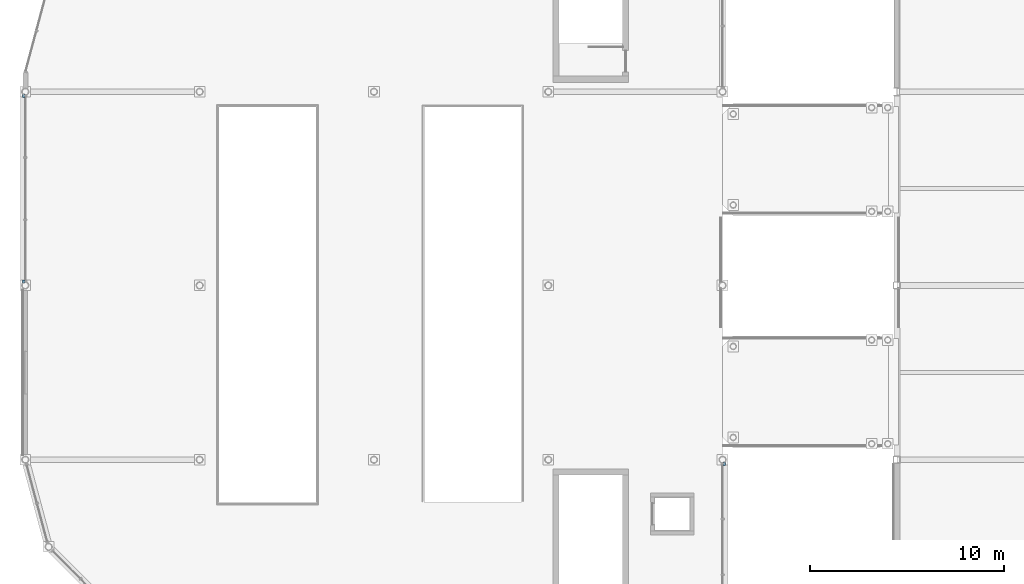
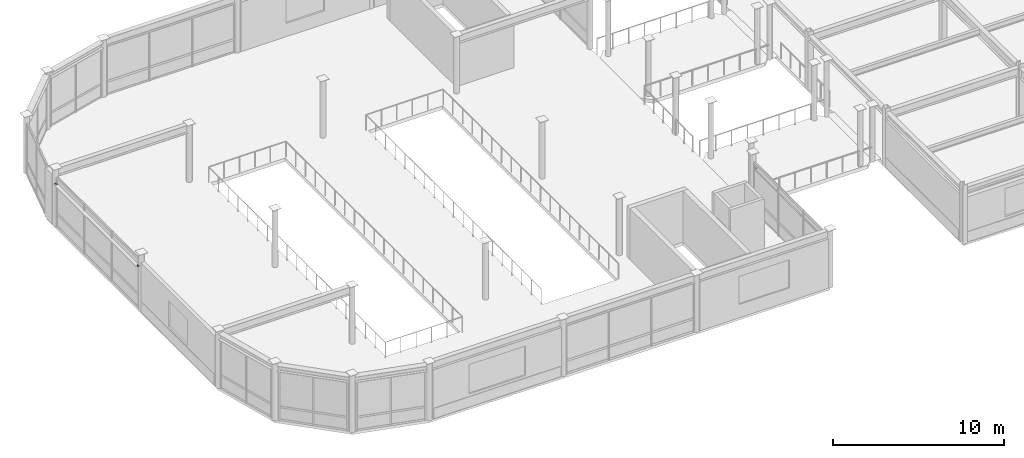
# One storey, part 45 of 53: 3 discrete accessories.
"""IFC4 building model written with IfcOpenShell, lengths in metres."""

from ifc_helpers import new_model, si_unit, direction, frame, origin, origin_2d, place, context, subcontext, project, spatial, rectangle, extrude, material, type_object, element, save


model = new_model("IFC4")

# Units and contexts
model_context = context("Model", 3, precision=1e-05, world=origin(), true_north=direction((0.0, 1.0)))
body_context = subcontext(model_context, "Body", "Model", "MODEL_VIEW")
ifc_project = project(units=[si_unit("LENGTHUNIT", "METRE"), si_unit("AREAUNIT", "SQUARE_METRE"), si_unit("VOLUMEUNIT", "CUBIC_METRE"), si_unit("PLANEANGLEUNIT", "RADIAN"), si_unit("MASSUNIT", "GRAM", prefix="KILO")], contexts=[model_context])

# Site, building, storey
site_placement = place(None, origin())
site = spatial("IfcSite", under=ifc_project, at=site_placement, CompositionType="ELEMENT")
building_placement = place(site_placement, origin())
building = spatial("IfcBuilding", under=site, at=building_placement, Name="Suzunagisa Mobility Hub", CompositionType="ELEMENT")
storey_placement = place(building_placement, frame((0.0, 0.0, 17.699951171875)))
storey = spatial("IfcBuildingStorey", under=building, at=storey_placement, Name="L04", CompositionType="ELEMENT", Elevation=17.699951171875)

# Discrete accessories
ifc_material = material(Name="Stainless Steel SUS316", Category="metal")
discrete_accessory_type = type_object("IfcDiscreteAccessoryType", Name="Stainless Sunshade Outrigger Bracket BRK-01", PredefinedType="BRACKET", material=ifc_material)
for number, where, z_axis, x_axis, name in (
    (1, (36.0849609375, 88.792236328125, 3.035888671875), (0.0, 0.0, 1.0), (0.0, 1.0, 0.0), "Sunshade Outrigger Bracket BRK-16.2"),
    (2, (-0.0849609375, 107.792236328125, 3.035888671875), (0.0, 0.0, 1.0), (0.0, -1.0, 0.0), "Sunshade Outrigger Bracket BRK-17.1"),
    (3, (-0.0849609375, 98.207763671875, 3.035888671875), (0.0, 0.0, 1.0), (0.0, -1.0, 0.0), "Sunshade Outrigger Bracket BRK-17.2"),
):
    element("IfcDiscreteAccessory", number, at=place(storey_placement, frame(where, z_axis=z_axis, x_axis=x_axis)), inside=storey, type_object=discrete_accessory_type, Name=name, PredefinedType="BRACKET", context=body_context, shape_type="SweptSolid", body=[
        extrude(rectangle(XDim=0.159912109375, YDim=0.1201171875, at=origin_2d()), origin(), (0.0, 0.0, 1.0), 0.080078125),
    ])

save(model, "model.ifc")
